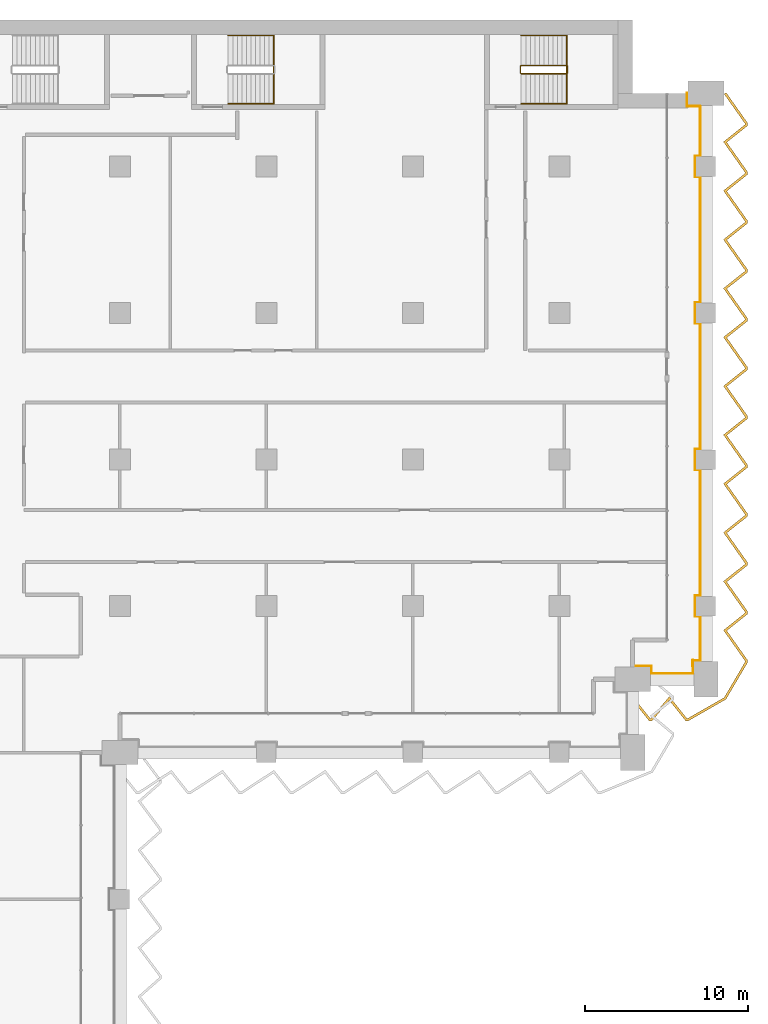
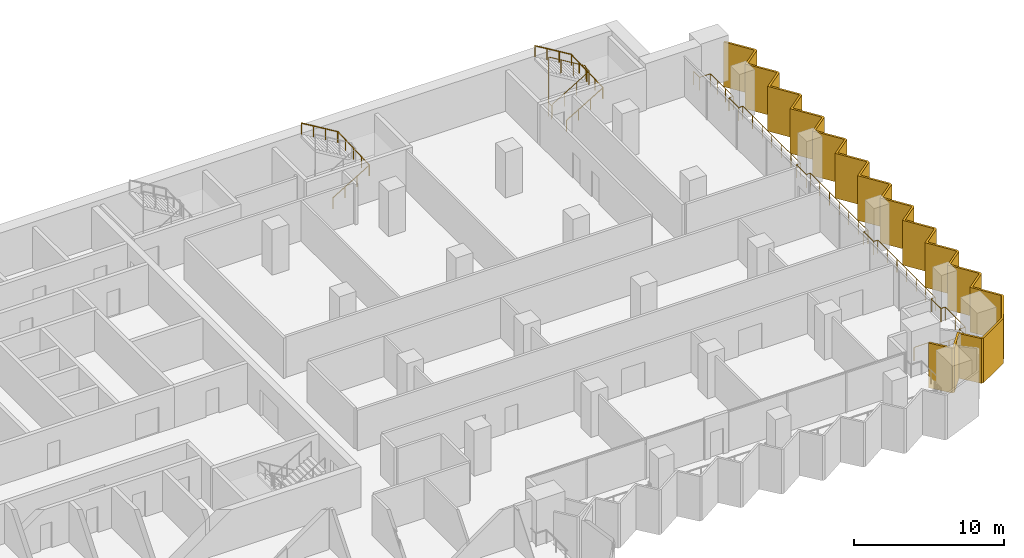
# One storey, part 23 of 23: 4 railings, 1 shading device.
"""IFC4 building model written with IfcOpenShell, lengths in metres."""

from ifc_helpers import new_model, si_unit, direction, frame, origin, origin_2d, place, context, subcontext, project, spatial, polyline, circle, outline, extrude, material, layer, layer_set, type_object, element, save


model = new_model("IFC4")

# Units and contexts
model_context = context("Model", 3, precision=1e-05, world=origin(), true_north=direction((0.0, 1.0)))
body_context = subcontext(model_context, "Body", "Model", "MODEL_VIEW")
ifc_project = project(units=[si_unit("LENGTHUNIT", "METRE"), si_unit("AREAUNIT", "SQUARE_METRE"), si_unit("VOLUMEUNIT", "CUBIC_METRE"), si_unit("PLANEANGLEUNIT", "RADIAN"), si_unit("MASSUNIT", "GRAM", prefix="KILO")], contexts=[model_context])

# Site, building, storey
site_placement = place(None, origin())
site = spatial("IfcSite", under=ifc_project, at=site_placement, CompositionType="ELEMENT")
building_placement = place(site_placement, origin())
building = spatial("IfcBuilding", under=site, at=building_placement, Name="Hunhe Ridgeline Campus", CompositionType="ELEMENT")
storey_placement = place(building_placement, frame((0.0, 0.0, 99.60009765625)))
storey = spatial("IfcBuildingStorey", under=building, at=storey_placement, Name="L24", CompositionType="ELEMENT", Elevation=99.60009765625)

# Railing
ifc_material_1 = material(Name="Steel Q355", Category="steel")
railing_type_1 = type_object("IfcRailingType", Name="Loggia guard 1100 Steel Q355", PredefinedType="GUARDRAIL", material=ifc_material_1)
railing_1_placement = place(storey_placement, frame((76.5, 59.320068359375, 0.0)))
element("IfcRailing", 1, at=railing_1_placement, inside=storey, type_object=railing_type_1, Name="Loggia guard 3", PredefinedType="GUARDRAIL", context=body_context, shape_type="SweptSolid", body=[
    extrude(circle(Radius=0.02392578125, at=origin_2d()), frame((0.0, 0.0, 1.076171875), z_axis=(1.0, 0.0, 0.0), x_axis=(0.0, 1.0, 0.0)), (0.0, 0.0, 1.0), 1.14990234375),
    extrude(circle(Radius=0.02392578125, at=origin_2d()), frame((1.14990234375, 0.0, 1.076171875), z_axis=(0.0, -1.0, 0.0), x_axis=(1.0, 0.0, 0.0)), (0.0, 0.0, 1.0), 0.469970703125),
    extrude(circle(Radius=0.02392578125, at=origin_2d()), frame((1.14990234375, -0.469970703125, 1.076171875), z_axis=(1.0, 0.0, 0.0), x_axis=(0.0, 1.0, 0.0)), (0.0, 0.0, 1.0), 2.550048828125),
    extrude(circle(Radius=0.02392578125, at=origin_2d()), frame((3.699951171875, -0.469970703125, 1.076171875), z_axis=(0.0, 1.0, 0.0), x_axis=(-1.0, 0.0, 0.0)), (0.0, 0.0, 1.0), 0.81982421875),
    extrude(circle(Radius=0.02392578125, at=origin_2d()), frame((3.699951171875, 0.349853515625, 1.076171875), z_axis=(-0.057129153726, -0.99836679622, 0.0), x_axis=(0.99836679622, -0.057129153726, 0.0)), (0.0, 0.0, 1.0), 0.350341796875),
    extrude(circle(Radius=0.02392578125, at=origin_2d()), frame((3.679931640625, 0.0, 1.076171875), z_axis=(0.0, 1.0, 0.0), x_axis=(-1.0, 0.0, 0.0)), (0.0, 0.0, 1.0), 0.329833984375),
    extrude(circle(Radius=0.02392578125, at=origin_2d()), frame((3.679931640625, 0.329833984375, 1.076171875), z_axis=(1.0, 0.0, 0.0), x_axis=(0.0, 1.0, 0.0)), (0.0, 0.0, 1.0), 0.469970703125),
    extrude(circle(Radius=0.02392578125, at=origin_2d()), frame((4.14990234375, 0.329833984375, 1.076171875), z_axis=(0.0, 1.0, 0.0), x_axis=(-1.0, 0.0, 0.0)), (0.0, 0.0, 1.0), 2.7001953125),
    extrude(circle(Radius=0.02392578125, at=origin_2d()), frame((4.14990234375, 3.030029296875, 1.076171875), z_axis=(-1.0, 0.0, 0.0), x_axis=(0.0, -1.0, 0.0)), (0.0, 0.0, 1.0), 0.31982421875),
    extrude(circle(Radius=0.02392578125, at=origin_2d()), frame((3.830078125, 3.030029296875, 1.076171875), z_axis=(0.0, 1.0, 0.0), x_axis=(-1.0, 0.0, 0.0)), (0.0, 0.0, 1.0), 1.2998046875),
    extrude(circle(Radius=0.02392578125, at=origin_2d()), frame((3.830078125, 4.329833984375, 1.076171875), z_axis=(1.0, 0.0, 0.0), x_axis=(0.0, 1.0, 0.0)), (0.0, 0.0, 1.0), 0.31982421875),
    extrude(circle(Radius=0.02392578125, at=origin_2d()), frame((4.14990234375, 4.329833984375, 1.076171875), z_axis=(0.0, 1.0, 0.0), x_axis=(-1.0, 0.0, 0.0)), (0.0, 0.0, 1.0), 7.7001953125),
    extrude(circle(Radius=0.02392578125, at=origin_2d()), frame((4.14990234375, 12.030029296875, 1.076171875), z_axis=(-1.0, 0.0, 0.0), x_axis=(0.0, -1.0, 0.0)), (0.0, 0.0, 1.0), 0.31982421875),
    extrude(circle(Radius=0.02392578125, at=origin_2d()), frame((3.830078125, 12.030029296875, 1.076171875), z_axis=(0.0, 1.0, 0.0), x_axis=(-1.0, 0.0, 0.0)), (0.0, 0.0, 1.0), 1.2998046875),
    extrude(circle(Radius=0.02392578125, at=origin_2d()), frame((3.830078125, 13.329833984375, 1.076171875), z_axis=(1.0, 0.0, 0.0), x_axis=(0.0, 1.0, 0.0)), (0.0, 0.0, 1.0), 0.31982421875),
    extrude(circle(Radius=0.02392578125, at=origin_2d()), frame((4.14990234375, 13.329833984375, 1.076171875), z_axis=(0.0, 1.0, 0.0), x_axis=(-1.0, 0.0, 0.0)), (0.0, 0.0, 1.0), 7.7001953125),
    extrude(circle(Radius=0.02392578125, at=origin_2d()), frame((4.14990234375, 21.030029296875, 1.076171875), z_axis=(-1.0, 0.0, 0.0), x_axis=(0.0, -1.0, 0.0)), (0.0, 0.0, 1.0), 0.31982421875),
    extrude(circle(Radius=0.02392578125, at=origin_2d()), frame((3.830078125, 21.030029296875, 1.076171875), z_axis=(0.0, 1.0, 0.0), x_axis=(-1.0, 0.0, 0.0)), (0.0, 0.0, 1.0), 1.2998046875),
    extrude(circle(Radius=0.02392578125, at=origin_2d()), frame((3.830078125, 22.329833984375, 1.076171875), z_axis=(1.0, 0.0, 0.0), x_axis=(0.0, 1.0, 0.0)), (0.0, 0.0, 1.0), 0.31982421875),
    extrude(circle(Radius=0.02392578125, at=origin_2d()), frame((4.14990234375, 22.329833984375, 1.076171875), z_axis=(0.0, 1.0, 0.0), x_axis=(-1.0, 0.0, 0.0)), (0.0, 0.0, 1.0), 7.7001953125),
    extrude(circle(Radius=0.02392578125, at=origin_2d()), frame((4.14990234375, 30.030029296875, 1.076171875), z_axis=(-1.0, 0.0, 0.0), x_axis=(0.0, -1.0, 0.0)), (0.0, 0.0, 1.0), 0.31982421875),
    extrude(circle(Radius=0.02392578125, at=origin_2d()), frame((3.830078125, 30.030029296875, 1.076171875), z_axis=(0.0, 1.0, 0.0), x_axis=(-1.0, 0.0, 0.0)), (0.0, 0.0, 1.0), 1.2998046875),
    extrude(circle(Radius=0.02392578125, at=origin_2d()), frame((3.830078125, 31.329833984375, 1.076171875), z_axis=(1.0, 0.0, 0.0), x_axis=(0.0, 1.0, 0.0)), (0.0, 0.0, 1.0), 0.31982421875),
    extrude(circle(Radius=0.02392578125, at=origin_2d()), frame((4.14990234375, 31.329833984375, 1.076171875), z_axis=(0.0, 1.0, 0.0), x_axis=(-1.0, 0.0, 0.0)), (0.0, 0.0, 1.0), 3.050048828125),
    extrude(circle(Radius=0.02392578125, at=origin_2d()), frame((4.14990234375, 34.3798828125, 1.076171875), z_axis=(-1.0, 0.0, 0.0), x_axis=(0.0, -1.0, 0.0)), (0.0, 0.0, 1.0), 0.81982421875),
    extrude(circle(Radius=0.02392578125, at=origin_2d()), frame((3.330078125, 34.3798828125, 1.076171875), z_axis=(0.0, 1.0, 0.0), x_axis=(-1.0, 0.0, 0.0)), (0.0, 0.0, 1.0), 0.800048828125),
    extrude(circle(Radius=0.02099609375, at=origin_2d()), origin(), (0.0, 0.0, 1.0), 1.052001953125),
    extrude(circle(Radius=0.02099609375, at=origin_2d()), frame((1.14990234375, 0.0, 0.0)), (0.0, 0.0, 1.0), 1.052001953125),
    extrude(circle(Radius=0.02099609375, at=origin_2d()), frame((1.14990234375, -0.469970703125, 0.0)), (0.0, 0.0, 1.0), 1.052001953125),
    extrude(circle(Radius=0.02099609375, at=origin_2d()), frame((2.4248046875, -0.469970703125, 0.0)), (0.0, 0.0, 1.0), 1.052001953125),
    extrude(circle(Radius=0.02099609375, at=origin_2d()), frame((3.699951171875, -0.469970703125, 0.0)), (0.0, 0.0, 1.0), 1.052001953125),
    extrude(circle(Radius=0.02099609375, at=origin_2d()), frame((3.699951171875, 0.349853515625, 0.0)), (0.0, 0.0, 1.0), 1.052001953125),
    extrude(circle(Radius=0.02099609375, at=origin_2d()), frame((3.679931640625, 0.0, 0.0)), (0.0, 0.0, 1.0), 1.052001953125),
    extrude(circle(Radius=0.02099609375, at=origin_2d()), frame((3.679931640625, 0.329833984375, 0.0)), (0.0, 0.0, 1.0), 1.052001953125),
    extrude(circle(Radius=0.02099609375, at=origin_2d()), frame((4.14990234375, 0.329833984375, 0.0)), (0.0, 0.0, 1.0), 1.052001953125),
    extrude(circle(Radius=0.02099609375, at=origin_2d()), frame((4.14990234375, 1.679931640625, 0.0)), (0.0, 0.0, 1.0), 1.052001953125),
    extrude(circle(Radius=0.02099609375, at=origin_2d()), frame((4.14990234375, 3.030029296875, 0.0)), (0.0, 0.0, 1.0), 1.052001953125),
    extrude(circle(Radius=0.02099609375, at=origin_2d()), frame((3.830078125, 3.030029296875, 0.0)), (0.0, 0.0, 1.0), 1.052001953125),
    extrude(circle(Radius=0.02099609375, at=origin_2d()), frame((3.830078125, 4.329833984375, 0.0)), (0.0, 0.0, 1.0), 1.052001953125),
    extrude(circle(Radius=0.02099609375, at=origin_2d()), frame((4.14990234375, 4.329833984375, 0.0)), (0.0, 0.0, 1.0), 1.052001953125),
    extrude(circle(Radius=0.02099609375, at=origin_2d()), frame((4.14990234375, 5.61328125, 0.0)), (0.0, 0.0, 1.0), 1.052001953125),
    extrude(circle(Radius=0.02099609375, at=origin_2d()), frame((4.14990234375, 6.896484375, 0.0)), (0.0, 0.0, 1.0), 1.052001953125),
    extrude(circle(Radius=0.02099609375, at=origin_2d()), frame((4.14990234375, 8.179931640625, 0.0)), (0.0, 0.0, 1.0), 1.052001953125),
    extrude(circle(Radius=0.02099609375, at=origin_2d()), frame((4.14990234375, 9.46337890625, 0.0)), (0.0, 0.0, 1.0), 1.052001953125),
    extrude(circle(Radius=0.02099609375, at=origin_2d()), frame((4.14990234375, 10.74658203125, 0.0)), (0.0, 0.0, 1.0), 1.052001953125),
    extrude(circle(Radius=0.02099609375, at=origin_2d()), frame((4.14990234375, 12.030029296875, 0.0)), (0.0, 0.0, 1.0), 1.052001953125),
    extrude(circle(Radius=0.02099609375, at=origin_2d()), frame((3.830078125, 12.030029296875, 0.0)), (0.0, 0.0, 1.0), 1.052001953125),
    extrude(circle(Radius=0.02099609375, at=origin_2d()), frame((3.830078125, 13.329833984375, 0.0)), (0.0, 0.0, 1.0), 1.052001953125),
    extrude(circle(Radius=0.02099609375, at=origin_2d()), frame((4.14990234375, 13.329833984375, 0.0)), (0.0, 0.0, 1.0), 1.052001953125),
    extrude(circle(Radius=0.02099609375, at=origin_2d()), frame((4.14990234375, 14.61328125, 0.0)), (0.0, 0.0, 1.0), 1.052001953125),
    extrude(circle(Radius=0.02099609375, at=origin_2d()), frame((4.14990234375, 15.896484375, 0.0)), (0.0, 0.0, 1.0), 1.052001953125),
    extrude(circle(Radius=0.02099609375, at=origin_2d()), frame((4.14990234375, 17.179931640625, 0.0)), (0.0, 0.0, 1.0), 1.052001953125),
    extrude(circle(Radius=0.02099609375, at=origin_2d()), frame((4.14990234375, 18.46337890625, 0.0)), (0.0, 0.0, 1.0), 1.052001953125),
    extrude(circle(Radius=0.02099609375, at=origin_2d()), frame((4.14990234375, 19.74658203125, 0.0)), (0.0, 0.0, 1.0), 1.052001953125),
    extrude(circle(Radius=0.02099609375, at=origin_2d()), frame((4.14990234375, 21.030029296875, 0.0)), (0.0, 0.0, 1.0), 1.052001953125),
    extrude(circle(Radius=0.02099609375, at=origin_2d()), frame((3.830078125, 21.030029296875, 0.0)), (0.0, 0.0, 1.0), 1.052001953125),
    extrude(circle(Radius=0.02099609375, at=origin_2d()), frame((3.830078125, 22.329833984375, 0.0)), (0.0, 0.0, 1.0), 1.052001953125),
    extrude(circle(Radius=0.02099609375, at=origin_2d()), frame((4.14990234375, 22.329833984375, 0.0)), (0.0, 0.0, 1.0), 1.052001953125),
    extrude(circle(Radius=0.02099609375, at=origin_2d()), frame((4.14990234375, 23.61328125, 0.0)), (0.0, 0.0, 1.0), 1.052001953125),
    extrude(circle(Radius=0.02099609375, at=origin_2d()), frame((4.14990234375, 24.896484375, 0.0)), (0.0, 0.0, 1.0), 1.052001953125),
    extrude(circle(Radius=0.02099609375, at=origin_2d()), frame((4.14990234375, 26.179931640625, 0.0)), (0.0, 0.0, 1.0), 1.052001953125),
    extrude(circle(Radius=0.02099609375, at=origin_2d()), frame((4.14990234375, 27.46337890625, 0.0)), (0.0, 0.0, 1.0), 1.052001953125),
    extrude(circle(Radius=0.02099609375, at=origin_2d()), frame((4.14990234375, 28.74658203125, 0.0)), (0.0, 0.0, 1.0), 1.052001953125),
    extrude(circle(Radius=0.02099609375, at=origin_2d()), frame((4.14990234375, 30.030029296875, 0.0)), (0.0, 0.0, 1.0), 1.052001953125),
    extrude(circle(Radius=0.02099609375, at=origin_2d()), frame((3.830078125, 30.030029296875, 0.0)), (0.0, 0.0, 1.0), 1.052001953125),
    extrude(circle(Radius=0.02099609375, at=origin_2d()), frame((3.830078125, 31.329833984375, 0.0)), (0.0, 0.0, 1.0), 1.052001953125),
    extrude(circle(Radius=0.02099609375, at=origin_2d()), frame((4.14990234375, 31.329833984375, 0.0)), (0.0, 0.0, 1.0), 1.052001953125),
    extrude(circle(Radius=0.02099609375, at=origin_2d()), frame((4.14990234375, 32.346435546875, 0.0)), (0.0, 0.0, 1.0), 1.052001953125),
    extrude(circle(Radius=0.02099609375, at=origin_2d()), frame((4.14990234375, 33.36328125, 0.0)), (0.0, 0.0, 1.0), 1.052001953125),
    extrude(circle(Radius=0.02099609375, at=origin_2d()), frame((4.14990234375, 34.3798828125, 0.0)), (0.0, 0.0, 1.0), 1.052001953125),
    extrude(circle(Radius=0.02099609375, at=origin_2d()), frame((3.330078125, 34.3798828125, 0.0)), (0.0, 0.0, 1.0), 1.052001953125),
    extrude(circle(Radius=0.02099609375, at=origin_2d()), frame((3.330078125, 35.179931640625, 0.0)), (0.0, 0.0, 1.0), 1.052001953125),
])

# Shading device
ifc_material_2 = material(Name="Concrete C50", Category="concrete")
ifc_layer = layer(ifc_material_2, 0.14990234375)
ifc_layer_set = layer_set([ifc_layer], Name="Sawtooth concrete fin 150 Concrete C50")
shading_device_type = type_object("IfcShadingDeviceType", Name="Sawtooth concrete fin 150 Concrete C50", PredefinedType="USERDEFINED", material=ifc_layer_set)
shading_device_placement = place(storey_placement, frame((0.0, 0.0, -0.9501953125)))
element("IfcShadingDevice", 2, at=shading_device_placement, inside=storey, type_object=shading_device_type, Name="Concrete fin screen 3", ObjectType="FIN", PredefinedType="USERDEFINED", context=body_context, shape_type="SweptSolid", body=[
    extrude(outline(polyline([(76.55859375, 57.371826171875), (76.44140625, 57.2783203125), (77.500732421875, 55.949951171875), (77.69189453125, 55.949951171875), (78.74853515625, 57.20654296875), (79.750732421875, 55.949951171875), (79.9267578125, 55.949951171875), (82.2294921875, 57.269775390625), (83.550048828125, 59.516357421875), (83.550048828125, 59.6806640625), (82.277099609375, 61.4853515625), (83.550048828125, 62.500732421875), (83.550048828125, 62.6806640625), (82.277099609375, 64.4853515625), (83.550048828125, 65.500732421875), (83.550048828125, 65.6806640625), (82.277099609375, 67.4853515625), (83.550048828125, 68.500732421875), (83.550048828125, 68.6806640625), (82.277099609375, 70.4853515625), (83.550048828125, 71.500732421875), (83.550048828125, 71.6806640625), (82.277099609375, 73.4853515625), (83.550048828125, 74.500732421875), (83.550048828125, 74.6806640625), (82.277099609375, 76.4853515625), (83.550048828125, 77.500732421875), (83.550048828125, 77.6806640625), (82.277099609375, 79.4853515625), (83.550048828125, 80.500732421875), (83.550048828125, 80.6806640625), (82.277099609375, 82.4853515625), (83.550048828125, 83.500732421875), (83.550048828125, 83.6806640625), (82.277099609375, 85.4853515625), (83.550048828125, 86.500732421875), (83.550048828125, 86.6806640625), (82.277099609375, 88.4853515625), (83.550048828125, 89.500732421875), (83.550048828125, 89.6806640625), (82.277099609375, 91.4853515625), (83.550048828125, 92.500732421875), (83.550048828125, 92.6806640625), (82.236328125, 94.543212890625), (82.11376953125, 94.456787109375), (83.39990234375, 92.633056640625), (83.39990234375, 92.572998046875), (82.072998046875, 91.5146484375), (83.39990234375, 89.633056640625), (83.39990234375, 89.572998046875), (82.072998046875, 88.5146484375), (83.39990234375, 86.633056640625), (83.39990234375, 86.572998046875), (82.072998046875, 85.5146484375), (83.39990234375, 83.633056640625), (83.39990234375, 83.572998046875), (82.072998046875, 82.5146484375), (83.39990234375, 80.633056640625), (83.39990234375, 80.572998046875), (82.072998046875, 79.5146484375), (83.39990234375, 77.633056640625), (83.39990234375, 77.572998046875), (82.072998046875, 76.5146484375), (83.39990234375, 74.633056640625), (83.39990234375, 74.572998046875), (82.072998046875, 73.5146484375), (83.39990234375, 71.633056640625), (83.39990234375, 71.572998046875), (82.072998046875, 70.5146484375), (83.39990234375, 68.633056640625), (83.39990234375, 68.572998046875), (82.072998046875, 67.5146484375), (83.39990234375, 65.633056640625), (83.39990234375, 65.572998046875), (82.072998046875, 64.5146484375), (83.39990234375, 62.633056640625), (83.39990234375, 62.572998046875), (82.072998046875, 61.5146484375), (83.39990234375, 59.633056640625), (83.39990234375, 59.557373046875), (82.120361328125, 57.380126953125), (79.886962890625, 56.10009765625), (79.822998046875, 56.10009765625), (78.75146484375, 57.443359375), (77.621826171875, 56.10009765625), (77.572998046875, 56.10009765625), (76.55859375, 57.371826171875)])), origin(), (0.0, 0.0, 1.0), 3.650146484375),
])

# Railings
ifc_material_3 = material(Name="Stainless steel balustrade", Category="steel")
railing_type_2 = type_object("IfcRailingType", Name="Stair guard 1100 stainless", PredefinedType="GUARDRAIL", material=ifc_material_3)
railing_2_placement = place(storey_placement, frame((69.64990234375, 95.699951171875, 0.16796875)))
element("IfcRailing", 3, at=railing_2_placement, inside=storey, type_object=railing_type_2, Name="L24 stair E3 guard", PredefinedType="GUARDRAIL", context=body_context, shape_type="SweptSolid", body=[
    extrude(circle(Radius=0.02392578125, at=origin_2d()), frame((0.0, 0.0, 1.076171875), z_axis=(0.857242210791, 0.0, 0.514913383045), x_axis=(0.0, 1.0, 0.0)), (0.0, 0.0, 1.0), 3.266357421875),
    extrude(circle(Radius=0.02392578125, at=origin_2d()), frame((2.800048828125, 0.0, 2.7578125), z_axis=(0.707106781187, 0.707106781187, 0.0), x_axis=(-0.707106781187, 0.707106781187, 0.0)), (0.0, 0.0, 1.0), 0.07080078125),
    extrude(circle(Radius=0.02392578125, at=origin_2d()), frame((2.85009765625, 0.050048828125, 2.7578125), z_axis=(0.0, 1.0, 0.0), x_axis=(-1.0, 0.0, 0.0)), (0.0, 0.0, 1.0), 0.39990234375),
    extrude(circle(Radius=0.02392578125, at=origin_2d()), frame((2.85009765625, 0.449951171875, 2.7578125), z_axis=(-0.274243871929, 0.274243871929, 0.92172696468), x_axis=(-0.707106781187, -0.707106781187, 0.0)), (0.0, 0.0, 1.0), 0.1826171875),
    extrude(circle(Radius=0.02392578125, at=origin_2d()), frame((2.800048828125, 0.5, 2.92626953125), z_axis=(-0.857242210791, 0.0, 0.514913383045), x_axis=(0.0, -1.0, 0.0)), (0.0, 0.0, 1.0), 3.266357421875),
    extrude(circle(Radius=0.02392578125, at=origin_2d()), frame((0.0, 0.5, 4.60791015625), z_axis=(-0.013458453615, -0.013524426427, -0.999817963389), x_axis=(0.708833529934, -0.705375805398, 0.0)), (0.0, 0.0, 1.0), 3.70068359375),
    extrude(circle(Radius=0.02392578125, at=origin_2d()), frame((-0.0498046875, 0.449951171875, 0.908203125), z_axis=(0.0, -1.0, 0.0), x_axis=(1.0, 0.0, 0.0)), (0.0, 0.0, 1.0), 0.39990234375),
    extrude(circle(Radius=0.02099609375, at=origin_2d()), origin(), (0.0, 0.0, 1.0), 1.052001953125),
    extrude(circle(Radius=0.02099609375, at=origin_2d()), frame((0.933349609375, 0.0, 0.560546875)), (0.0, 0.0, 1.0), 1.052001953125),
    extrude(circle(Radius=0.02099609375, at=origin_2d()), frame((1.86669921875, 0.0, 1.121337890625)), (0.0, 0.0, 1.0), 1.052001953125),
    extrude(circle(Radius=0.02099609375, at=origin_2d()), frame((2.800048828125, 0.0, 1.681884765625)), (0.0, 0.0, 1.0), 1.052001953125),
    extrude(circle(Radius=0.02099609375, at=origin_2d()), frame((2.85009765625, 0.050048828125, 1.681884765625)), (0.0, 0.0, 1.0), 1.052001953125),
    extrude(circle(Radius=0.02099609375, at=origin_2d()), frame((2.85009765625, 0.449951171875, 1.681884765625)), (0.0, 0.0, 1.0), 1.052001953125),
    extrude(circle(Radius=0.02099609375, at=origin_2d()), frame((2.800048828125, 0.5, 1.85009765625)), (0.0, 0.0, 1.0), 1.052001953125),
    extrude(circle(Radius=0.02099609375, at=origin_2d()), frame((1.86669921875, 0.5, 2.41064453125)), (0.0, 0.0, 1.0), 1.052001953125),
    extrude(circle(Radius=0.02099609375, at=origin_2d()), frame((0.933349609375, 0.5, 2.971435546875)), (0.0, 0.0, 1.0), 1.052001953125),
    extrude(circle(Radius=0.02099609375, at=origin_2d()), frame((0.0, 0.5, 3.531982421875)), (0.0, 0.0, 1.0), 1.052001953125),
    extrude(circle(Radius=0.02099609375, at=origin_2d()), frame((-0.012451171875, 0.487548828125, 2.60693359375)), (0.0, 0.0, 1.0), 1.052001953125),
    extrude(circle(Radius=0.02099609375, at=origin_2d()), frame((-0.02490234375, 0.47509765625, 1.68212890625)), (0.0, 0.0, 1.0), 1.052001953125),
    extrude(circle(Radius=0.02099609375, at=origin_2d()), frame((-0.037353515625, 0.46240234375, 0.757080078125)), (0.0, 0.0, 1.0), 1.052001953125),
    extrude(circle(Radius=0.02099609375, at=origin_2d()), frame((-0.0498046875, 0.449951171875, -0.16796875)), (0.0, 0.0, 1.0), 1.052001953125),
    extrude(circle(Radius=0.02099609375, at=origin_2d()), frame((-0.0498046875, 0.050048828125, -0.16796875)), (0.0, 0.0, 1.0), 1.052001953125),
])
ifc_material_4 = material(Name="Stainless steel handrail", Category="steel")
railing_type_3 = type_object("IfcRailingType", Name="Stair handrail 900 stainless", PredefinedType="HANDRAIL", material=ifc_material_4)
railing_3_placement = place(storey_placement, frame((51.64990234375, 93.85009765625, 0.16796875)))
element("IfcRailing", 4, at=railing_3_placement, inside=storey, type_object=railing_type_3, Name="L24 stair E2 handrail", PredefinedType="HANDRAIL", context=body_context, shape_type="SweptSolid", body=[
    extrude(circle(Radius=0.02392578125, at=origin_2d()), frame((0.0, 0.0, 0.8759765625), z_axis=(0.857242210791, 0.0, 0.514913383045), x_axis=(0.0, 1.0, 0.0)), (0.0, 0.0, 1.0), 3.266357421875),
    extrude(circle(Radius=0.02392578125, at=origin_2d()), frame((2.800048828125, 0.0, 2.5576171875), z_axis=(0.0, 0.999198916169, 0.040019069537), x_axis=(-1.0, 0.0, 0.0)), (0.0, 0.0, 1.0), 4.203369140625),
    extrude(circle(Radius=0.02392578125, at=origin_2d()), frame((2.800048828125, 4.199951171875, 2.72607421875), z_axis=(-0.857242210791, 0.0, 0.514913383045), x_axis=(0.0, -1.0, 0.0)), (0.0, 0.0, 1.0), 3.266357421875),
    extrude(circle(Radius=0.02099609375, at=origin_2d()), origin(), (0.0, 0.0, 1.0), 0.851806640625),
    extrude(circle(Radius=0.02099609375, at=origin_2d()), frame((0.933349609375, 0.0, 0.560546875)), (0.0, 0.0, 1.0), 0.851806640625),
    extrude(circle(Radius=0.02099609375, at=origin_2d()), frame((1.86669921875, 0.0, 1.121337890625)), (0.0, 0.0, 1.0), 0.851806640625),
    extrude(circle(Radius=0.02099609375, at=origin_2d()), frame((2.800048828125, 0.0, 1.681884765625)), (0.0, 0.0, 1.0), 0.851806640625),
    extrude(circle(Radius=0.02099609375, at=origin_2d()), frame((2.800048828125, 1.050048828125, 1.723876953125)), (0.0, 0.0, 1.0), 0.851806640625),
    extrude(circle(Radius=0.02099609375, at=origin_2d()), frame((2.800048828125, 2.10009765625, 1.76611328125)), (0.0, 0.0, 1.0), 0.851806640625),
    extrude(circle(Radius=0.02099609375, at=origin_2d()), frame((2.800048828125, 3.14990234375, 1.80810546875)), (0.0, 0.0, 1.0), 0.851806640625),
    extrude(circle(Radius=0.02099609375, at=origin_2d()), frame((2.800048828125, 4.199951171875, 1.85009765625)), (0.0, 0.0, 1.0), 0.851806640625),
    extrude(circle(Radius=0.02099609375, at=origin_2d()), frame((1.86669921875, 4.199951171875, 2.41064453125)), (0.0, 0.0, 1.0), 0.851806640625),
    extrude(circle(Radius=0.02099609375, at=origin_2d()), frame((0.933349609375, 4.199951171875, 2.971435546875)), (0.0, 0.0, 1.0), 0.851806640625),
    extrude(circle(Radius=0.02099609375, at=origin_2d()), frame((0.0, 4.199951171875, 3.531982421875)), (0.0, 0.0, 1.0), 0.851806640625),
])
railing_4_placement = place(storey_placement, frame((69.64990234375, 93.85009765625, 0.16796875)))
element("IfcRailing", 5, at=railing_4_placement, inside=storey, type_object=railing_type_3, Name="L24 stair E3 handrail", PredefinedType="HANDRAIL", context=body_context, shape_type="SweptSolid", body=[
    extrude(circle(Radius=0.02392578125, at=origin_2d()), frame((0.0, 0.0, 0.8759765625), z_axis=(0.857242210791, 0.0, 0.514913383045), x_axis=(0.0, 1.0, 0.0)), (0.0, 0.0, 1.0), 3.266357421875),
    extrude(circle(Radius=0.02392578125, at=origin_2d()), frame((2.800048828125, 0.0, 2.5576171875), z_axis=(0.0, 0.999198916169, 0.040019069537), x_axis=(-1.0, 0.0, 0.0)), (0.0, 0.0, 1.0), 4.203369140625),
    extrude(circle(Radius=0.02392578125, at=origin_2d()), frame((2.800048828125, 4.199951171875, 2.72607421875), z_axis=(-0.857242210791, 0.0, 0.514913383045), x_axis=(0.0, -1.0, 0.0)), (0.0, 0.0, 1.0), 3.266357421875),
    extrude(circle(Radius=0.02099609375, at=origin_2d()), origin(), (0.0, 0.0, 1.0), 0.851806640625),
    extrude(circle(Radius=0.02099609375, at=origin_2d()), frame((0.933349609375, 0.0, 0.560546875)), (0.0, 0.0, 1.0), 0.851806640625),
    extrude(circle(Radius=0.02099609375, at=origin_2d()), frame((1.86669921875, 0.0, 1.121337890625)), (0.0, 0.0, 1.0), 0.851806640625),
    extrude(circle(Radius=0.02099609375, at=origin_2d()), frame((2.800048828125, 0.0, 1.681884765625)), (0.0, 0.0, 1.0), 0.851806640625),
    extrude(circle(Radius=0.02099609375, at=origin_2d()), frame((2.800048828125, 1.050048828125, 1.723876953125)), (0.0, 0.0, 1.0), 0.851806640625),
    extrude(circle(Radius=0.02099609375, at=origin_2d()), frame((2.800048828125, 2.10009765625, 1.76611328125)), (0.0, 0.0, 1.0), 0.851806640625),
    extrude(circle(Radius=0.02099609375, at=origin_2d()), frame((2.800048828125, 3.14990234375, 1.80810546875)), (0.0, 0.0, 1.0), 0.851806640625),
    extrude(circle(Radius=0.02099609375, at=origin_2d()), frame((2.800048828125, 4.199951171875, 1.85009765625)), (0.0, 0.0, 1.0), 0.851806640625),
    extrude(circle(Radius=0.02099609375, at=origin_2d()), frame((1.86669921875, 4.199951171875, 2.41064453125)), (0.0, 0.0, 1.0), 0.851806640625),
    extrude(circle(Radius=0.02099609375, at=origin_2d()), frame((0.933349609375, 4.199951171875, 2.971435546875)), (0.0, 0.0, 1.0), 0.851806640625),
    extrude(circle(Radius=0.02099609375, at=origin_2d()), frame((0.0, 4.199951171875, 3.531982421875)), (0.0, 0.0, 1.0), 0.851806640625),
])

save(model, "model.ifc")
